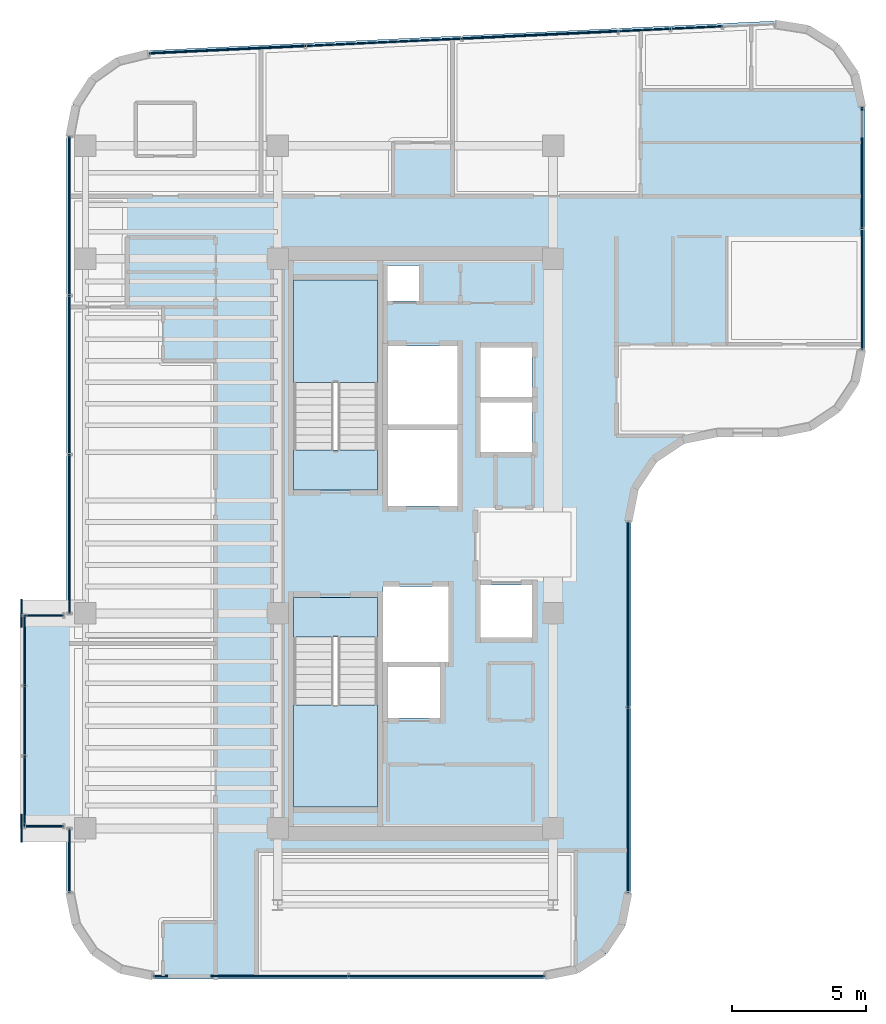
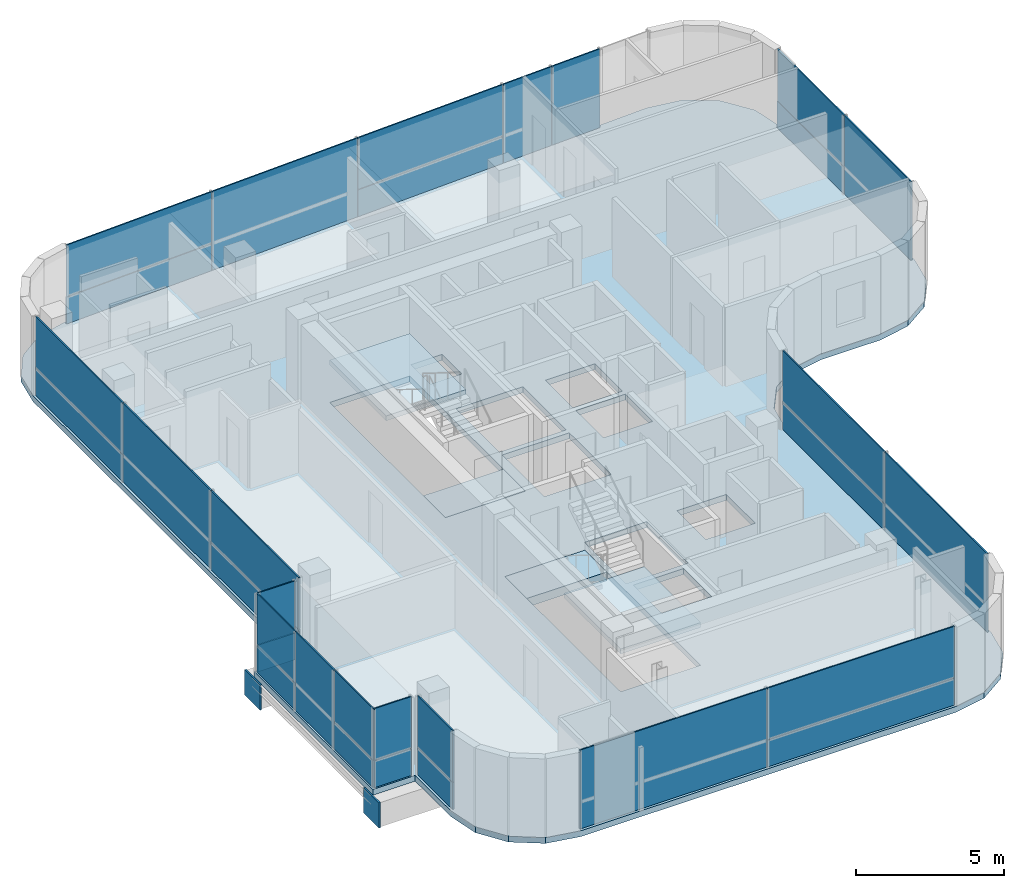
# One storey, part 13 of 19: 34 plates, 5 slabs, 11 elements without a shape of their own.
"""IFC4 building model written with IfcOpenShell, lengths in metres."""

from ifc_helpers import new_model, si_unit, direction, frame, origin, origin_2d, place, context, subcontext, project, spatial, polyline, rectangle, outline, extrude, source, transform, mapped, material, layer, layer_set, type_object, element, aggregate, save


model = new_model("IFC4")

# Units and contexts
model_context = context("Model", 3, precision=1e-05, world=origin(), true_north=direction((0.0, 1.0)))
body_context = subcontext(model_context, "Body", "Model", "MODEL_VIEW")
ifc_project = project(units=[si_unit("LENGTHUNIT", "METRE"), si_unit("AREAUNIT", "SQUARE_METRE"), si_unit("VOLUMEUNIT", "CUBIC_METRE"), si_unit("PLANEANGLEUNIT", "RADIAN"), si_unit("MASSUNIT", "GRAM", prefix="KILO")], contexts=[model_context])

# Site, building, storey
site_placement = place(None, origin())
site = spatial("IfcSite", under=ifc_project, at=site_placement, CompositionType="ELEMENT")
building_placement = place(site_placement, origin())
building = spatial("IfcBuilding", under=site, at=building_placement, Name="Valdorenza Pilgrim Sanctuary Tower", CompositionType="ELEMENT")
storey_placement = place(building_placement, frame((0.0, 0.0, 269.5)))
storey = spatial("IfcBuildingStorey", under=building, at=storey_placement, Name="L70", CompositionType="ELEMENT", Elevation=269.5)

# Slab
ifc_material_1 = material(Name="Concrete C40/50", Category="concrete")
ifc_layer_1 = layer(ifc_material_1, 0.239990234375, Name="Concrete C40/50")
ifc_layer_set_1 = layer_set([ifc_layer_1], Name="Concrete C40/50")
slab_type_1 = type_object("IfcSlabType", Name="SLAB-FLR-220", PredefinedType="FLOOR", material=ifc_layer_set_1)
slab_1_placement = place(storey_placement, frame((0.0, 0.0, -0.239990234375)))
element("IfcSlab", 1, at=slab_1_placement, inside=storey, type_object=slab_type_1, Name="L70 Structural Floor Slab 1", PredefinedType="FLOOR", context=body_context, shape_type="SweptSolid", body=[
    extrude(outline(polyline([(-32.14990234375, -2.60009765625), (-30.5, -2.60009765625), (-30.5, 15.147216796875), (-30.2705078125, 16.3369140625), (-29.615478515625, 17.356201171875), (-28.628173828125, 18.05859375), (-27.45068359375, 18.34375), (-4.150634765625, 19.442138671875), (-2.880615234375, 19.243408203125), (-1.791259765625, 18.56103515625), (-1.05810546875, 17.5048828125), (-0.800048828125, 16.24560546875), (-0.800048828125, 7.199951171875), (-1.043701171875, 5.975341796875), (-1.7373046875, 4.937255859375), (-2.775390625, 4.24365234375), (-4.0, 4.0), (-6.300048828125, 4.0), (-7.524658203125, 3.75634765625), (-8.562744140625, 3.062744140625), (-9.25634765625, 2.024658203125), (-9.5, 0.800048828125), (-9.5, -13.0), (-9.74365234375, -14.224609375), (-10.437255859375, -15.2626953125), (-11.475341796875, -15.956298828125), (-12.699951171875, -16.199951171875), (-27.300048828125, -16.199951171875), (-28.524658203125, -15.956298828125), (-29.562744140625, -15.2626953125), (-30.25634765625, -14.224609375), (-30.5, -13.0), (-30.5, -10.60009765625), (-32.14990234375, -10.60009765625), (-32.14990234375, -2.60009765625)]), holes=[polyline([(-22.050048828125, -9.800048828125), (-18.93994140625, -9.800048828125), (-18.93994140625, -3.485107421875), (-18.93994140625, -2.0), (-22.050048828125, -2.0), (-22.050048828125, -3.485107421875), (-22.050048828125, -9.800048828125)]), polyline([(-16.60009765625, -6.5), (-16.60009765625, -4.60009765625), (-18.550048828125, -4.60009765625), (-18.550048828125, -6.5), (-16.60009765625, -6.5)]), polyline([(-22.050048828125, 2.0), (-18.93994140625, 2.0), (-18.93994140625, 3.485107421875), (-18.93994140625, 9.800048828125), (-22.050048828125, 9.800048828125), (-22.050048828125, 3.485107421875), (-22.050048828125, 2.0)]), polyline([(-17.360107421875, 9.030029296875), (-17.360107421875, 10.35009765625), (-18.570068359375, 10.35009765625), (-18.570068359375, 9.030029296875), (-17.360107421875, 9.030029296875)]), polyline([(-16.300048828125, -1.60009765625), (-18.719970703125, -1.60009765625), (-18.719970703125, -4.39990234375), (-16.300048828125, -4.39990234375), (-16.300048828125, -1.60009765625)]), polyline([(-13.179931640625, -3.5), (-13.179931640625, -1.550048828125), (-15.10009765625, -1.550048828125), (-15.10009765625, -3.5), (-13.179931640625, -3.5)]), polyline([(-15.949951171875, 1.39990234375), (-15.949951171875, 4.22509765625), (-18.550048828125, 4.22509765625), (-18.550048828125, 1.39990234375), (-15.949951171875, 1.39990234375)]), polyline([(-13.179931640625, 5.25), (-15.10009765625, 5.25), (-15.10009765625, 3.39990234375), (-13.179931640625, 3.39990234375), (-13.179931640625, 5.25)]), polyline([(-15.949951171875, 4.425048828125), (-15.949951171875, 7.35009765625), (-18.550048828125, 7.35009765625), (-18.550048828125, 4.425048828125), (-15.949951171875, 4.425048828125)]), polyline([(-13.179931640625, 5.449951171875), (-13.179931640625, 7.300048828125), (-15.10009765625, 7.300048828125), (-15.10009765625, 5.449951171875), (-13.179931640625, 5.449951171875)])]), origin(), (0.0, 0.0, 1.0), 0.239990234375),
])

# Stair, slab
stair_type = type_object("IfcStairType", Name="STR-DOG-CORE", PredefinedType="HALF_TURN_STAIR", material=ifc_material_1)
stair_1_placement = place(storey_placement, origin())
stair_1 = element("IfcStair", 2, at=stair_1_placement, inside=storey, type_object=stair_type, Name="L70 ST-A1", PredefinedType="HALF_TURN_STAIR")
ifc_layer_2 = layer(ifc_material_1, 0.199951171875, Name="Concrete C40/50")
ifc_layer_set_2 = layer_set([ifc_layer_2], Name="Concrete C40/50")
slab_type_2 = type_object("IfcSlabType", Name="SLAB-STL-200", PredefinedType="LANDING", material=ifc_layer_set_2)
slab_2_placement = place(storey_placement, frame((0.0, 0.0, 1.550048828125)))
slab_2 = element("IfcSlab", 3, at=slab_2_placement, type_object=slab_type_2, Name="ST-A1 landing 1", PredefinedType="LANDING", context=body_context, shape_type="SweptSolid", body=[
    extrude(outline(polyline([(-18.93994140625, 6.0), (-18.93994140625, 9.800048828125), (-22.050048828125, 9.800048828125), (-22.050048828125, 6.0), (-18.93994140625, 6.0)])), origin(), (0.0, 0.0, 1.0), 0.199951171875),
])
aggregate(stair_1, [slab_2])

stair_2_placement = place(storey_placement, origin())
stair_2 = element("IfcStair", 4, at=stair_2_placement, inside=storey, type_object=stair_type, Name="L70 ST-A2", PredefinedType="HALF_TURN_STAIR")
slab_3_placement = place(storey_placement, frame((0.0, 0.0, 1.550048828125)))
slab_3 = element("IfcSlab", 5, at=slab_3_placement, type_object=slab_type_2, Name="ST-A2 landing 1", PredefinedType="LANDING", context=body_context, shape_type="SweptSolid", body=[
    extrude(outline(polyline([(-22.050048828125, -6.0), (-22.050048828125, -9.800048828125), (-18.93994140625, -9.800048828125), (-18.93994140625, -6.0), (-22.050048828125, -6.0)])), origin(), (0.0, 0.0, 1.0), 0.199951171875),
])
aggregate(stair_2, [slab_3])

# Slabs
ifc_material_2 = material(Name="Concrete C50/60", Category="concrete")
ifc_layer_3 = layer(ifc_material_2, 0.39990234375, Name="Concrete C50/60")
ifc_layer_set_3 = layer_set([ifc_layer_3], Name="Concrete C50/60")
slab_type_3 = type_object("IfcSlabType", Name="SLAB-TRF-400", PredefinedType="FLOOR", material=ifc_layer_set_3)
slab_4_placement = place(storey_placement, frame((0.0, 0.0, -0.360107421875)))
element("IfcSlab", 6, at=slab_4_placement, inside=storey, type_object=slab_type_3, Name="L70 ST-A1 Structural Stair Landing Bearing Slab", PredefinedType="FLOOR", context=body_context, shape_type="SweptSolid", body=[
    extrude(outline(polyline([(-22.050048828125, 2.0), (-18.93994140625, 2.0), (-18.93994140625, 3.485107421875), (-22.050048828125, 3.485107421875), (-22.050048828125, 2.0)])), origin(), (0.0, 0.0, 1.0), 0.360107421875),
])
slab_5_placement = place(storey_placement, frame((0.0, 0.0, -0.360107421875)))
element("IfcSlab", 7, at=slab_5_placement, inside=storey, type_object=slab_type_3, Name="L70 ST-A2 Structural Stair Landing Bearing Slab", PredefinedType="FLOOR", context=body_context, shape_type="SweptSolid", body=[
    extrude(outline(polyline([(-22.050048828125, -3.485107421875), (-18.93994140625, -3.485107421875), (-18.93994140625, -2.0), (-22.050048828125, -2.0), (-22.050048828125, -3.485107421875)])), origin(), (0.0, 0.0, 1.0), 0.360107421875),
])

# Plates
ifc_material_3 = material(Name="Steel ASTM A572 Grade 42", Category="steel")
ifc_layer_4 = layer(ifc_material_3, 0.06005859375, Name="Steel ASTM A572 Grade 42")
ifc_layer_set_4 = layer_set([ifc_layer_4], Name="Steel ASTM A572 Grade 42")
plate_type_1 = type_object("IfcPlateType", Name="PLT-CAP-60", PredefinedType="SHEET", material=ifc_layer_set_4)
shared_shape_1 = source(origin(), body_context, "Body", "SweptSolid", [
    extrude(rectangle(XDim=0.06005859375, YDim=1.0400390625, at=origin_2d()), origin(), (0.0, 0.0, 1.0), 1.0400390625),
])
for number, where, z_axis, x_axis, name in (
    (8, (-32.179931640625, -2.60009765625, -1.260009765625), (0.0, 0.0, 1.0), (1.0, 0.0, 0.0), "L70 BOX-WA-L70 Cantilever Tip End Cap N"),
    (9, (-32.179931640625, -10.60009765625, -1.260009765625), (0.0, 0.0, 1.0), (1.0, 0.0, 0.0), "L70 BOX-WA-L70 Cantilever Tip End Cap S"),
):
    element("IfcPlate", number, at=place(storey_placement, frame(where, z_axis=z_axis, x_axis=x_axis)), inside=storey, type_object=plate_type_1, Name=name, PredefinedType="SHEET", context=body_context, shape_type="MappedRepresentation", body=[
        mapped(shared_shape_1, transform((0.0, 0.0, 0.0), x_axis=(1.0, 0.0, 0.0), y_axis=(0.0, 1.0, 0.0), z_axis=(0.0, 0.0, 1.0), scale=1.0)),
    ])

# Curtain wall, plate
ifc_material_4 = material(Name="Curtain-wall IGU glazing", Category="glass")
curtain_wall_type = type_object("IfcCurtainWallType", Name="CW-SYS-02", PredefinedType="NOTDEFINED", material=ifc_material_4)
curtain_wall_1_placement = place(storey_placement, origin())
curtain_wall_1 = element("IfcCurtainWall", 10, at=curtain_wall_1_placement, inside=storey, type_object=curtain_wall_type, Name="L70 Curtain Wall CW-L70-BOX-WA-L70-S", PredefinedType="NOTDEFINED")
ifc_material_5 = material(Name="Honed travertine limestone", Category="masonry")
ifc_layer_5 = layer(ifc_material_5, 0.050048828125, Name="Honed travertine limestone")
ifc_layer_set_5 = layer_set([ifc_layer_5], Name="Honed travertine limestone")
plate_type_2 = type_object("IfcPlateType", Name="CW-SPN-TRV", PredefinedType="USERDEFINED", material=ifc_layer_set_5)
shared_shape_2 = source(origin(), body_context, "Body", "SweptSolid", [
    extrude(rectangle(XDim=1.43994140625, YDim=0.06005859375, at=origin_2d()), origin(), (0.0, 0.0, 1.0), 1.10009765625),
])
plate_1_placement = place(storey_placement, frame((-31.340087890625, -10.52001953125, 0.010009765625), z_axis=(0.0, 0.0, 1.0), x_axis=(-1.0, 0.0, 0.0)))
plate_1 = element("IfcPlate", 11, at=plate_1_placement, type_object=plate_type_2, Name="CW-L70-BOX-WA-L70-S Travertine Spandrel 1", ObjectType="SPANDREL", PredefinedType="USERDEFINED", context=body_context, shape_type="MappedRepresentation", body=[
    mapped(shared_shape_2, transform((0.0, 0.0, 0.0), x_axis=(1.0, 0.0, 0.0), y_axis=(0.0, 1.0, 0.0), z_axis=(0.0, 0.0, 1.0), scale=1.0)),
])

curtain_wall_2_placement = place(storey_placement, origin())
curtain_wall_2 = element("IfcCurtainWall", 12, at=curtain_wall_2_placement, inside=storey, type_object=curtain_wall_type, Name="L70 Curtain Wall CW-L70-BOX-WA-L70-N", PredefinedType="NOTDEFINED")
plate_2_placement = place(storey_placement, frame((-31.340087890625, -2.679931640625, 0.010009765625), z_axis=(0.0, 0.0, 1.0), x_axis=(1.0, 0.0, 0.0)))
plate_2 = element("IfcPlate", 13, at=plate_2_placement, type_object=plate_type_2, Name="CW-L70-BOX-WA-L70-N Travertine Spandrel 1", ObjectType="SPANDREL", PredefinedType="USERDEFINED", context=body_context, shape_type="MappedRepresentation", body=[
    mapped(shared_shape_2, transform((0.0, 0.0, 0.0), x_axis=(1.0, 0.0, 0.0), y_axis=(0.0, 1.0, 0.0), z_axis=(0.0, 0.0, 1.0), scale=1.0)),
])

# Curtain wall, plates
curtain_wall_3_placement = place(storey_placement, origin())
curtain_wall_3 = element("IfcCurtainWall", 14, at=curtain_wall_3_placement, inside=storey, type_object=curtain_wall_type, Name="L70 Curtain Wall CW-L70-BOX-WA-L70-F", PredefinedType="NOTDEFINED")
shared_shape_3 = source(origin(), body_context, "Body", "SweptSolid", [
    extrude(rectangle(XDim=2.59326171875, YDim=0.06005859375, at=origin_2d()), origin(), (0.0, 0.0, 1.0), 1.10009765625),
])
plate_3_placement = place(storey_placement, frame((-32.070068359375, -9.21337890625, 0.010009765625), z_axis=(0.0, 0.0, 1.0), x_axis=(0.0, 1.0, 0.0)))
plate_3 = element("IfcPlate", 15, at=plate_3_placement, type_object=plate_type_2, Name="CW-L70-BOX-WA-L70-F Travertine Spandrel 1", ObjectType="SPANDREL", PredefinedType="USERDEFINED", context=body_context, shape_type="MappedRepresentation", body=[
    mapped(shared_shape_3, transform((0.0, 0.0, 0.0), x_axis=(1.0, 0.0, 0.0), y_axis=(0.0, 1.0, 0.0), z_axis=(0.0, 0.0, 1.0), scale=1.0)),
])
plate_4_placement = place(storey_placement, frame((-32.070068359375, -3.98681640625, 0.010009765625), z_axis=(0.0, 0.0, 1.0), x_axis=(0.0, 1.0, 0.0)))
plate_4 = element("IfcPlate", 16, at=plate_4_placement, type_object=plate_type_2, Name="CW-L70-BOX-WA-L70-F Travertine Spandrel 3", ObjectType="SPANDREL", PredefinedType="USERDEFINED", context=body_context, shape_type="MappedRepresentation", body=[
    mapped(shared_shape_3, transform((0.0, 0.0, 0.0), x_axis=(1.0, 0.0, 0.0), y_axis=(0.0, 1.0, 0.0), z_axis=(0.0, 0.0, 1.0), scale=1.0)),
])

# Plate
ifc_material_6 = material(Name="Ceramic-fritted low-E IGU glazing", Category="glass")
ifc_layer_6 = layer(ifc_material_6, 0.035888671875, Name="Ceramic-fritted low-E IGU glazing")
ifc_layer_set_6 = layer_set([ifc_layer_6], Name="Ceramic-fritted low-E IGU glazing")
plate_type_3 = type_object("IfcPlateType", Name="CW-GLZ-IGU", PredefinedType="USERDEFINED", material=ifc_layer_set_6)
shared_shape_4 = source(origin(), body_context, "Body", "SweptSolid", [
    extrude(rectangle(XDim=1.43994140625, YDim=0.050048828125, at=origin_2d()), origin(), (0.0, 0.0, 1.0), 2.1201171875),
])
plate_5_placement = place(storey_placement, frame((-31.340087890625, -10.52001953125, 1.1298828125), z_axis=(0.0, 0.0, 1.0), x_axis=(-1.0, 0.0, 0.0)))
plate_5 = element("IfcPlate", 17, at=plate_5_placement, type_object=plate_type_3, Name="CW-L70-BOX-WA-L70-S Facade Panel 1", ObjectType="GLAZING", PredefinedType="USERDEFINED", context=body_context, shape_type="MappedRepresentation", body=[
    mapped(shared_shape_4, transform((0.0, 0.0, 0.0), x_axis=(1.0, 0.0, 0.0), y_axis=(0.0, 1.0, 0.0), z_axis=(0.0, 0.0, 1.0), scale=1.0)),
])

aggregate(curtain_wall_1, [plate_1, plate_5])

plate_6_placement = place(storey_placement, frame((-31.340087890625, -2.679931640625, 1.1298828125), z_axis=(0.0, 0.0, 1.0), x_axis=(1.0, 0.0, 0.0)))
plate_6 = element("IfcPlate", 18, at=plate_6_placement, type_object=plate_type_3, Name="CW-L70-BOX-WA-L70-N Facade Panel 1", ObjectType="GLAZING", PredefinedType="USERDEFINED", context=body_context, shape_type="MappedRepresentation", body=[
    mapped(shared_shape_4, transform((0.0, 0.0, 0.0), x_axis=(1.0, 0.0, 0.0), y_axis=(0.0, 1.0, 0.0), z_axis=(0.0, 0.0, 1.0), scale=1.0)),
])

aggregate(curtain_wall_2, [plate_2, plate_6])

shared_shape_5 = source(origin(), body_context, "Body", "SweptSolid", [
    extrude(rectangle(XDim=2.59326171875, YDim=0.050048828125, at=origin_2d()), origin(), (0.0, 0.0, 1.0), 2.1201171875),
])
plate_7_placement = place(storey_placement, frame((-32.070068359375, -9.21337890625, 1.1298828125), z_axis=(0.0, 0.0, 1.0), x_axis=(0.0, 1.0, 0.0)))
plate_7 = element("IfcPlate", 19, at=plate_7_placement, type_object=plate_type_3, Name="CW-L70-BOX-WA-L70-F Facade Panel 1", ObjectType="GLAZING", PredefinedType="USERDEFINED", context=body_context, shape_type="MappedRepresentation", body=[
    mapped(shared_shape_5, transform((0.0, 0.0, 0.0), x_axis=(1.0, 0.0, 0.0), y_axis=(0.0, 1.0, 0.0), z_axis=(0.0, 0.0, 1.0), scale=1.0)),
])

plate_8_placement = place(storey_placement, frame((-32.070068359375, -3.98681640625, 1.1298828125), z_axis=(0.0, 0.0, 1.0), x_axis=(0.0, 1.0, 0.0)))
plate_8 = element("IfcPlate", 20, at=plate_8_placement, type_object=plate_type_3, Name="CW-L70-BOX-WA-L70-F Facade Panel 3", ObjectType="GLAZING", PredefinedType="USERDEFINED", context=body_context, shape_type="MappedRepresentation", body=[
    mapped(shared_shape_5, transform((0.0, 0.0, 0.0), x_axis=(1.0, 0.0, 0.0), y_axis=(0.0, 1.0, 0.0), z_axis=(0.0, 0.0, 1.0), scale=1.0)),
])

shared_shape_6 = source(origin(), body_context, "Body", "SweptSolid", [
    extrude(rectangle(XDim=2.59326171875, YDim=0.050048828125, at=origin_2d()), origin(), (0.0, 0.0, 1.0), 3.239990234375),
])
plate_9_placement = place(storey_placement, frame((-32.070068359375, -6.60009765625, 0.009765625), z_axis=(0.0, 0.0, 1.0), x_axis=(0.0, 1.0, 0.0)))
plate_9 = element("IfcPlate", 21, at=plate_9_placement, type_object=plate_type_3, Name="CW-L70-BOX-WA-L70-F Full-Height Facade Panel 2", ObjectType="GLAZING", PredefinedType="USERDEFINED", context=body_context, shape_type="MappedRepresentation", body=[
    mapped(shared_shape_6, transform((0.0, 0.0, 0.0), x_axis=(1.0, 0.0, 0.0), y_axis=(0.0, 1.0, 0.0), z_axis=(0.0, 0.0, 1.0), scale=1.0)),
])

aggregate(curtain_wall_3, [plate_3, plate_7, plate_9, plate_4, plate_8])

# Curtain wall, plates
curtain_wall_4_placement = place(storey_placement, origin())
curtain_wall_4 = element("IfcCurtainWall", 22, at=curtain_wall_4_placement, inside=storey, type_object=curtain_wall_type, Name="L70 Curtain Wall CW-L70-1-6", PredefinedType="NOTDEFINED")
shared_shape_7 = source(origin(), body_context, "Body", "SweptSolid", [
    extrude(rectangle(XDim=5.805908203125, YDim=0.06005859375, at=origin_2d()), origin(), (0.0, 0.0, 1.0), 1.10009765625),
])
plate_10_placement = place(storey_placement, frame((-24.525146484375, 18.37158203125, 0.010009765625), z_axis=(0.0, 0.0, 1.0), x_axis=(0.998890696972, 0.047089016785, 0.0)))
plate_10 = element("IfcPlate", 23, at=plate_10_placement, type_object=plate_type_2, Name="CW-L70-1-6 Travertine Spandrel 1", ObjectType="SPANDREL", PredefinedType="USERDEFINED", context=body_context, shape_type="MappedRepresentation", body=[
    mapped(shared_shape_7, transform((0.0, 0.0, 0.0), x_axis=(1.0, 0.0, 0.0), y_axis=(0.0, 1.0, 0.0), z_axis=(0.0, 0.0, 1.0), scale=1.0)),
])
plate_11_placement = place(storey_placement, frame((-12.885986328125, 18.920166015625, 0.010009765625), z_axis=(0.0, 0.0, 1.0), x_axis=(0.998890696972, 0.047089016785, 0.0)))
plate_11 = element("IfcPlate", 24, at=plate_11_placement, type_object=plate_type_2, Name="CW-L70-1-6 Travertine Spandrel 3", ObjectType="SPANDREL", PredefinedType="USERDEFINED", context=body_context, shape_type="MappedRepresentation", body=[
    mapped(shared_shape_7, transform((0.0, 0.0, 0.0), x_axis=(1.0, 0.0, 0.0), y_axis=(0.0, 1.0, 0.0), z_axis=(0.0, 0.0, 1.0), scale=1.0)),
])
shared_shape_8 = source(origin(), body_context, "Body", "SweptSolid", [
    extrude(rectangle(XDim=5.805908203125, YDim=0.050048828125, at=origin_2d()), origin(), (0.0, 0.0, 1.0), 2.1201171875),
])
plate_12_placement = place(storey_placement, frame((-24.525146484375, 18.37158203125, 1.1298828125), z_axis=(0.0, 0.0, 1.0), x_axis=(0.998890696972, 0.047089016785, 0.0)))
plate_12 = element("IfcPlate", 25, at=plate_12_placement, type_object=plate_type_3, Name="CW-L70-1-6 Facade Panel 1", ObjectType="GLAZING", PredefinedType="USERDEFINED", context=body_context, shape_type="MappedRepresentation", body=[
    mapped(shared_shape_8, transform((0.0, 0.0, 0.0), x_axis=(1.0, 0.0, 0.0), y_axis=(0.0, 1.0, 0.0), z_axis=(0.0, 0.0, 1.0), scale=1.0)),
])
plate_13_placement = place(storey_placement, frame((-12.885986328125, 18.920166015625, 1.1298828125), z_axis=(0.0, 0.0, 1.0), x_axis=(0.998890696972, 0.047089016785, 0.0)))
plate_13 = element("IfcPlate", 26, at=plate_13_placement, type_object=plate_type_3, Name="CW-L70-1-6 Facade Panel 3", ObjectType="GLAZING", PredefinedType="USERDEFINED", context=body_context, shape_type="MappedRepresentation", body=[
    mapped(shared_shape_8, transform((0.0, 0.0, 0.0), x_axis=(1.0, 0.0, 0.0), y_axis=(0.0, 1.0, 0.0), z_axis=(0.0, 0.0, 1.0), scale=1.0)),
])
shared_shape_9 = source(origin(), body_context, "Body", "SweptSolid", [
    extrude(rectangle(XDim=5.805908203125, YDim=0.050048828125, at=origin_2d()), origin(), (0.0, 0.0, 1.0), 3.239990234375),
])
plate_14_placement = place(storey_placement, frame((-18.70556640625, 18.645751953125, 0.009765625), z_axis=(0.0, 0.0, 1.0), x_axis=(0.998890696972, 0.047089016785, 0.0)))
plate_14 = element("IfcPlate", 27, at=plate_14_placement, type_object=plate_type_3, Name="CW-L70-1-6 Full-Height Facade Panel 2", ObjectType="GLAZING", PredefinedType="USERDEFINED", context=body_context, shape_type="MappedRepresentation", body=[
    mapped(shared_shape_9, transform((0.0, 0.0, 0.0), x_axis=(1.0, 0.0, 0.0), y_axis=(0.0, 1.0, 0.0), z_axis=(0.0, 0.0, 1.0), scale=1.0)),
])

curtain_wall_5_placement = place(storey_placement, origin())
curtain_wall_5 = element("IfcCurtainWall", 28, at=curtain_wall_5_placement, inside=storey, type_object=curtain_wall_type, Name="L70 Curtain Wall CW-L70-1-11", PredefinedType="NOTDEFINED")
shared_shape_10 = source(origin(), body_context, "Body", "SweptSolid", [
    extrude(rectangle(XDim=4.49169921875, YDim=0.06005859375, at=origin_2d()), origin(), (0.0, 0.0, 1.0), 1.10009765625),
])
plate_15_placement = place(storey_placement, frame((-0.909912109375, 13.978515625, 0.010009765625), z_axis=(0.0, 0.0, 1.0), x_axis=(0.0, -1.0, 0.0)))
plate_15 = element("IfcPlate", 29, at=plate_15_placement, type_object=plate_type_2, Name="CW-L70-1-11 Travertine Spandrel 1", ObjectType="SPANDREL", PredefinedType="USERDEFINED", context=body_context, shape_type="MappedRepresentation", body=[
    mapped(shared_shape_10, transform((0.0, 0.0, 0.0), x_axis=(1.0, 0.0, 0.0), y_axis=(0.0, 1.0, 0.0), z_axis=(0.0, 0.0, 1.0), scale=1.0)),
])
shared_shape_11 = source(origin(), body_context, "Body", "SweptSolid", [
    extrude(rectangle(XDim=4.49169921875, YDim=0.050048828125, at=origin_2d()), origin(), (0.0, 0.0, 1.0), 2.1201171875),
])
plate_16_placement = place(storey_placement, frame((-0.909912109375, 13.978515625, 1.1298828125), z_axis=(0.0, 0.0, 1.0), x_axis=(0.0, -1.0, 0.0)))
plate_16 = element("IfcPlate", 30, at=plate_16_placement, type_object=plate_type_3, Name="CW-L70-1-11 Facade Panel 1", ObjectType="GLAZING", PredefinedType="USERDEFINED", context=body_context, shape_type="MappedRepresentation", body=[
    mapped(shared_shape_11, transform((0.0, 0.0, 0.0), x_axis=(1.0, 0.0, 0.0), y_axis=(0.0, 1.0, 0.0), z_axis=(0.0, 0.0, 1.0), scale=1.0)),
])
shared_shape_12 = source(origin(), body_context, "Body", "SweptSolid", [
    extrude(rectangle(XDim=4.49169921875, YDim=0.050048828125, at=origin_2d()), origin(), (0.0, 0.0, 1.0), 3.239990234375),
])
plate_17_placement = place(storey_placement, frame((-0.909912109375, 9.466796875, 0.009765625), z_axis=(0.0, 0.0, 1.0), x_axis=(0.0, -1.0, 0.0)))
plate_17 = element("IfcPlate", 31, at=plate_17_placement, type_object=plate_type_3, Name="CW-L70-1-11 Full-Height Facade Panel 2", ObjectType="GLAZING", PredefinedType="USERDEFINED", context=body_context, shape_type="MappedRepresentation", body=[
    mapped(shared_shape_12, transform((0.0, 0.0, 0.0), x_axis=(1.0, 0.0, 0.0), y_axis=(0.0, 1.0, 0.0), z_axis=(0.0, 0.0, 1.0), scale=1.0)),
])
aggregate(curtain_wall_5, [plate_15, plate_16, plate_17])

curtain_wall_6_placement = place(storey_placement, origin())
curtain_wall_6 = element("IfcCurtainWall", 32, at=curtain_wall_6_placement, inside=storey, type_object=curtain_wall_type, Name="L70 Curtain Wall CW-L70-1-21", PredefinedType="NOTDEFINED")
shared_shape_13 = source(origin(), body_context, "Body", "SweptSolid", [
    extrude(rectangle(XDim=6.8798828125, YDim=0.06005859375, at=origin_2d()), origin(), (0.0, 0.0, 1.0), 1.10009765625),
])
plate_18_placement = place(storey_placement, frame((-9.610107421875, -2.63916015625, 0.010009765625), z_axis=(0.0, 0.0, 1.0), x_axis=(0.0, -1.0, 0.0)))
plate_18 = element("IfcPlate", 33, at=plate_18_placement, type_object=plate_type_2, Name="CW-L70-1-21 Travertine Spandrel 1", ObjectType="SPANDREL", PredefinedType="USERDEFINED", context=body_context, shape_type="MappedRepresentation", body=[
    mapped(shared_shape_13, transform((0.0, 0.0, 0.0), x_axis=(1.0, 0.0, 0.0), y_axis=(0.0, 1.0, 0.0), z_axis=(0.0, 0.0, 1.0), scale=1.0)),
])
shared_shape_14 = source(origin(), body_context, "Body", "SweptSolid", [
    extrude(rectangle(XDim=6.8798828125, YDim=0.050048828125, at=origin_2d()), origin(), (0.0, 0.0, 1.0), 2.1201171875),
])
plate_19_placement = place(storey_placement, frame((-9.610107421875, -2.63916015625, 1.1298828125), z_axis=(0.0, 0.0, 1.0), x_axis=(0.0, -1.0, 0.0)))
plate_19 = element("IfcPlate", 34, at=plate_19_placement, type_object=plate_type_3, Name="CW-L70-1-21 Facade Panel 1", ObjectType="GLAZING", PredefinedType="USERDEFINED", context=body_context, shape_type="MappedRepresentation", body=[
    mapped(shared_shape_14, transform((0.0, 0.0, 0.0), x_axis=(1.0, 0.0, 0.0), y_axis=(0.0, 1.0, 0.0), z_axis=(0.0, 0.0, 1.0), scale=1.0)),
])
shared_shape_15 = source(origin(), body_context, "Body", "SweptSolid", [
    extrude(rectangle(XDim=6.8798828125, YDim=0.050048828125, at=origin_2d()), origin(), (0.0, 0.0, 1.0), 3.239990234375),
])
plate_20_placement = place(storey_placement, frame((-9.610107421875, -9.539306640625, 0.009765625), z_axis=(0.0, 0.0, 1.0), x_axis=(0.0, -1.0, 0.0)))
plate_20 = element("IfcPlate", 35, at=plate_20_placement, type_object=plate_type_3, Name="CW-L70-1-21 Full-Height Facade Panel 2", ObjectType="GLAZING", PredefinedType="USERDEFINED", context=body_context, shape_type="MappedRepresentation", body=[
    mapped(shared_shape_15, transform((0.0, 0.0, 0.0), x_axis=(1.0, 0.0, 0.0), y_axis=(0.0, 1.0, 0.0), z_axis=(0.0, 0.0, 1.0), scale=1.0)),
])
aggregate(curtain_wall_6, [plate_18, plate_19, plate_20])

curtain_wall_7_placement = place(storey_placement, origin())
curtain_wall_7 = element("IfcCurtainWall", 36, at=curtain_wall_7_placement, inside=storey, type_object=curtain_wall_type, Name="L70 Curtain Wall CW-L70-1-26", PredefinedType="NOTDEFINED")
shared_shape_16 = source(origin(), body_context, "Body", "SweptSolid", [
    extrude(rectangle(XDim=7.269287109375, YDim=0.06005859375, at=origin_2d()), origin(), (0.0, 0.0, 1.0), 1.10009765625),
])
plate_21_placement = place(storey_placement, frame((-16.35546875, -16.090087890625, 0.010009765625), z_axis=(0.0, 0.0, 1.0), x_axis=(-1.0, 0.0, 0.0)))
plate_21 = element("IfcPlate", 37, at=plate_21_placement, type_object=plate_type_2, Name="CW-L70-1-26 Travertine Spandrel 1", ObjectType="SPANDREL", PredefinedType="USERDEFINED", context=body_context, shape_type="MappedRepresentation", body=[
    mapped(shared_shape_16, transform((0.0, 0.0, 0.0), x_axis=(1.0, 0.0, 0.0), y_axis=(0.0, 1.0, 0.0), z_axis=(0.0, 0.0, 1.0), scale=1.0)),
])
shared_shape_17 = source(origin(), body_context, "Body", "SweptSolid", [
    extrude(rectangle(XDim=7.269287109375, YDim=0.050048828125, at=origin_2d()), origin(), (0.0, 0.0, 1.0), 2.1201171875),
])
plate_22_placement = place(storey_placement, frame((-16.35546875, -16.090087890625, 1.1298828125), z_axis=(0.0, 0.0, 1.0), x_axis=(-1.0, 0.0, 0.0)))
plate_22 = element("IfcPlate", 38, at=plate_22_placement, type_object=plate_type_3, Name="CW-L70-1-26 Facade Panel 1", ObjectType="GLAZING", PredefinedType="USERDEFINED", context=body_context, shape_type="MappedRepresentation", body=[
    mapped(shared_shape_17, transform((0.0, 0.0, 0.0), x_axis=(1.0, 0.0, 0.0), y_axis=(0.0, 1.0, 0.0), z_axis=(0.0, 0.0, 1.0), scale=1.0)),
])
shared_shape_18 = source(origin(), body_context, "Body", "SweptSolid", [
    extrude(rectangle(XDim=7.269287109375, YDim=0.050048828125, at=origin_2d()), origin(), (0.0, 0.0, 1.0), 3.239990234375),
])
plate_23_placement = place(storey_placement, frame((-23.64453125, -16.090087890625, 0.009765625), z_axis=(0.0, 0.0, 1.0), x_axis=(-1.0, 0.0, 0.0)))
plate_23 = element("IfcPlate", 39, at=plate_23_placement, type_object=plate_type_3, Name="CW-L70-1-26 Full-Height Facade Panel 2", ObjectType="GLAZING", PredefinedType="USERDEFINED", context=body_context, shape_type="MappedRepresentation", body=[
    mapped(shared_shape_18, transform((0.0, 0.0, 0.0), x_axis=(1.0, 0.0, 0.0), y_axis=(0.0, 1.0, 0.0), z_axis=(0.0, 0.0, 1.0), scale=1.0)),
])
aggregate(curtain_wall_7, [plate_21, plate_22, plate_23])

curtain_wall_8_placement = place(storey_placement, origin())
curtain_wall_8 = element("IfcCurtainWall", 40, at=curtain_wall_8_placement, inside=storey, type_object=curtain_wall_type, Name="L70 Curtain Wall CW-L70-1-1S1", PredefinedType="NOTDEFINED")
shared_shape_19 = source(origin(), body_context, "Body", "SweptSolid", [
    extrude(rectangle(XDim=2.369140625, YDim=0.06005859375, at=origin_2d()), origin(), (0.0, 0.0, 1.0), 1.10009765625),
])
plate_24_placement = place(storey_placement, frame((-30.389892578125, -11.794677734375, 0.010009765625), z_axis=(0.0, 0.0, 1.0), x_axis=(0.0, 1.0, 0.0)))
plate_24 = element("IfcPlate", 41, at=plate_24_placement, type_object=plate_type_2, Name="CW-L70-1-1S1 Travertine Spandrel 1", ObjectType="SPANDREL", PredefinedType="USERDEFINED", context=body_context, shape_type="MappedRepresentation", body=[
    mapped(shared_shape_19, transform((0.0, 0.0, 0.0), x_axis=(1.0, 0.0, 0.0), y_axis=(0.0, 1.0, 0.0), z_axis=(0.0, 0.0, 1.0), scale=1.0)),
])
shared_shape_20 = source(origin(), body_context, "Body", "SweptSolid", [
    extrude(rectangle(XDim=2.369140625, YDim=0.050048828125, at=origin_2d()), origin(), (0.0, 0.0, 1.0), 2.1201171875),
])
plate_25_placement = place(storey_placement, frame((-30.389892578125, -11.794677734375, 1.1298828125), z_axis=(0.0, 0.0, 1.0), x_axis=(0.0, 1.0, 0.0)))
plate_25 = element("IfcPlate", 42, at=plate_25_placement, type_object=plate_type_3, Name="CW-L70-1-1S1 Facade Panel 1", ObjectType="GLAZING", PredefinedType="USERDEFINED", context=body_context, shape_type="MappedRepresentation", body=[
    mapped(shared_shape_20, transform((0.0, 0.0, 0.0), x_axis=(1.0, 0.0, 0.0), y_axis=(0.0, 1.0, 0.0), z_axis=(0.0, 0.0, 1.0), scale=1.0)),
])
aggregate(curtain_wall_8, [plate_24, plate_25])

curtain_wall_9_placement = place(storey_placement, origin())
curtain_wall_9 = element("IfcCurtainWall", 43, at=curtain_wall_9_placement, inside=storey, type_object=curtain_wall_type, Name="L70 Curtain Wall CW-L70-1-1S2", PredefinedType="NOTDEFINED")
shared_shape_21 = source(origin(), body_context, "Body", "SweptSolid", [
    extrude(rectangle(XDim=5.892333984375, YDim=0.06005859375, at=origin_2d()), origin(), (0.0, 0.0, 1.0), 1.10009765625),
])
plate_26_placement = place(storey_placement, frame((-30.389892578125, 0.356201171875, 0.010009765625), z_axis=(0.0, 0.0, 1.0), x_axis=(0.0, 1.0, 0.0)))
plate_26 = element("IfcPlate", 44, at=plate_26_placement, type_object=plate_type_2, Name="CW-L70-1-1S2 Travertine Spandrel 1", ObjectType="SPANDREL", PredefinedType="USERDEFINED", context=body_context, shape_type="MappedRepresentation", body=[
    mapped(shared_shape_21, transform((0.0, 0.0, 0.0), x_axis=(1.0, 0.0, 0.0), y_axis=(0.0, 1.0, 0.0), z_axis=(0.0, 0.0, 1.0), scale=1.0)),
])
plate_27_placement = place(storey_placement, frame((-30.389892578125, 12.1806640625, 0.010009765625), z_axis=(0.0, 0.0, 1.0), x_axis=(0.0, 1.0, 0.0)))
plate_27 = element("IfcPlate", 45, at=plate_27_placement, type_object=plate_type_2, Name="CW-L70-1-1S2 Travertine Spandrel 3", ObjectType="SPANDREL", PredefinedType="USERDEFINED", context=body_context, shape_type="MappedRepresentation", body=[
    mapped(shared_shape_21, transform((0.0, 0.0, 0.0), x_axis=(1.0, 0.0, 0.0), y_axis=(0.0, 1.0, 0.0), z_axis=(0.0, 0.0, 1.0), scale=1.0)),
])
shared_shape_22 = source(origin(), body_context, "Body", "SweptSolid", [
    extrude(rectangle(XDim=5.892333984375, YDim=0.050048828125, at=origin_2d()), origin(), (0.0, 0.0, 1.0), 2.1201171875),
])
plate_28_placement = place(storey_placement, frame((-30.389892578125, 0.356201171875, 1.1298828125), z_axis=(0.0, 0.0, 1.0), x_axis=(0.0, 1.0, 0.0)))
plate_28 = element("IfcPlate", 46, at=plate_28_placement, type_object=plate_type_3, Name="CW-L70-1-1S2 Facade Panel 1", ObjectType="GLAZING", PredefinedType="USERDEFINED", context=body_context, shape_type="MappedRepresentation", body=[
    mapped(shared_shape_22, transform((0.0, 0.0, 0.0), x_axis=(1.0, 0.0, 0.0), y_axis=(0.0, 1.0, 0.0), z_axis=(0.0, 0.0, 1.0), scale=1.0)),
])
plate_29_placement = place(storey_placement, frame((-30.389892578125, 12.1806640625, 1.1298828125), z_axis=(0.0, 0.0, 1.0), x_axis=(0.0, 1.0, 0.0)))
plate_29 = element("IfcPlate", 47, at=plate_29_placement, type_object=plate_type_3, Name="CW-L70-1-1S2 Facade Panel 3", ObjectType="GLAZING", PredefinedType="USERDEFINED", context=body_context, shape_type="MappedRepresentation", body=[
    mapped(shared_shape_22, transform((0.0, 0.0, 0.0), x_axis=(1.0, 0.0, 0.0), y_axis=(0.0, 1.0, 0.0), z_axis=(0.0, 0.0, 1.0), scale=1.0)),
])
shared_shape_23 = source(origin(), body_context, "Body", "SweptSolid", [
    extrude(rectangle(XDim=5.892333984375, YDim=0.050048828125, at=origin_2d()), origin(), (0.0, 0.0, 1.0), 3.239990234375),
])
plate_30_placement = place(storey_placement, frame((-30.389892578125, 6.268310546875, 0.009765625), z_axis=(0.0, 0.0, 1.0), x_axis=(0.0, 1.0, 0.0)))
plate_30 = element("IfcPlate", 48, at=plate_30_placement, type_object=plate_type_3, Name="CW-L70-1-1S2 Full-Height Facade Panel 2", ObjectType="GLAZING", PredefinedType="USERDEFINED", context=body_context, shape_type="MappedRepresentation", body=[
    mapped(shared_shape_23, transform((0.0, 0.0, 0.0), x_axis=(1.0, 0.0, 0.0), y_axis=(0.0, 1.0, 0.0), z_axis=(0.0, 0.0, 1.0), scale=1.0)),
])
aggregate(curtain_wall_9, [plate_26, plate_28, plate_30, plate_27, plate_29])

# Plate
shared_shape_24 = source(origin(), body_context, "Body", "SweptSolid", [
    extrude(rectangle(XDim=1.915283203125, YDim=0.050048828125, at=origin_2d()), origin(), (0.0, 0.0, 1.0), 3.239990234375),
])
plate_31_placement = place(storey_placement, frame((-8.999755859375, 19.103515625, 0.009765625), z_axis=(0.0, 0.0, 1.0), x_axis=(0.998890696972, 0.047089016785, 0.0)))
plate_31 = element("IfcPlate", 49, at=plate_31_placement, type_object=plate_type_3, Name="CW-L70-1-6 Full-Height Facade Panel 4 Sub 1", ObjectType="GLAZING", PredefinedType="USERDEFINED", context=body_context, shape_type="MappedRepresentation", body=[
    mapped(shared_shape_24, transform((0.0, 0.0, 0.0), x_axis=(1.0, 0.0, 0.0), y_axis=(0.0, 1.0, 0.0), z_axis=(0.0, 0.0, 1.0), scale=1.0)),
])

plate_32_placement = place(storey_placement, frame((-7.06640625, 19.194580078125, 0.009765625), z_axis=(0.0, 0.0, 1.0), x_axis=(0.998890696972, 0.047089016785, 0.0)))
plate_32 = element("IfcPlate", 50, at=plate_32_placement, type_object=plate_type_3, Name="CW-L70-1-6 Full-Height Facade Panel 4 Sub 2", ObjectType="GLAZING", PredefinedType="USERDEFINED", context=body_context, shape_type="MappedRepresentation", body=[
    mapped(shared_shape_24, transform((0.0, 0.0, 0.0), x_axis=(1.0, 0.0, 0.0), y_axis=(0.0, 1.0, 0.0), z_axis=(0.0, 0.0, 1.0), scale=1.0)),
])

aggregate(curtain_wall_4, [plate_10, plate_12, plate_14, plate_11, plate_13, plate_31, plate_32])

save(model, "model.ifc")
